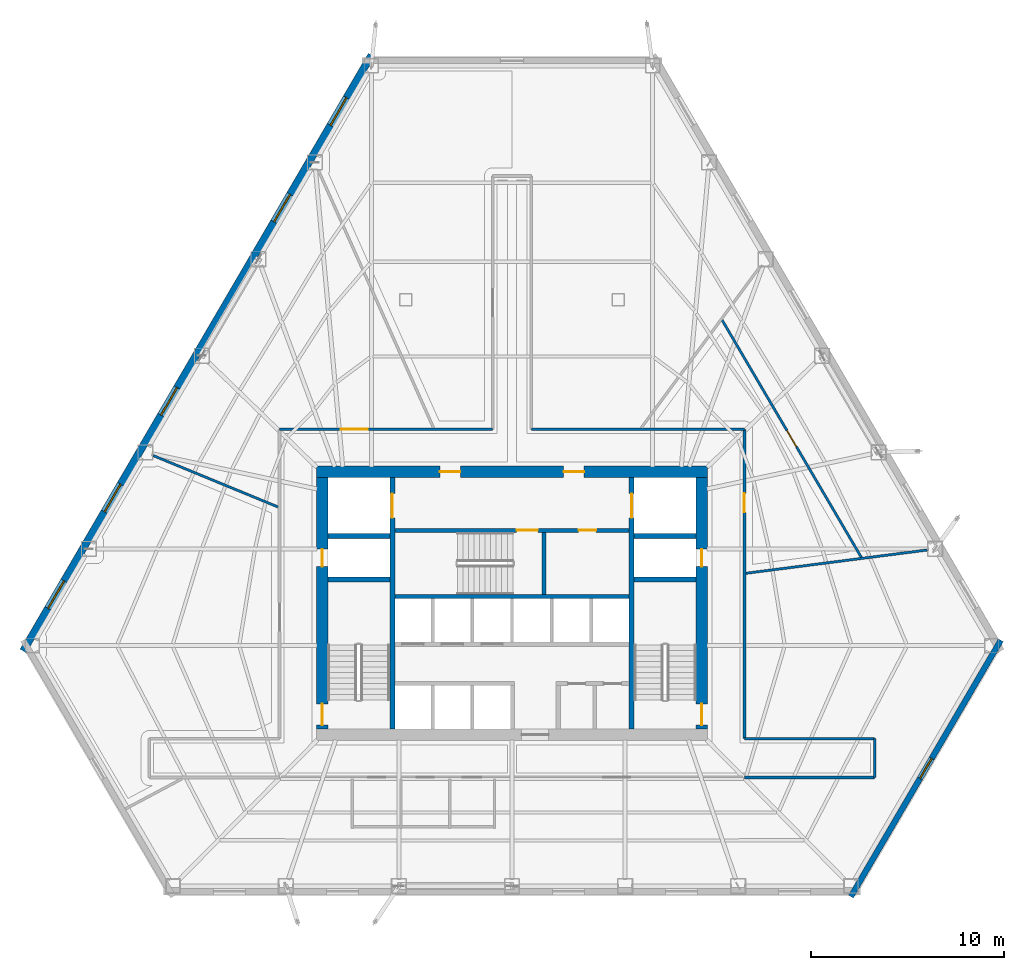
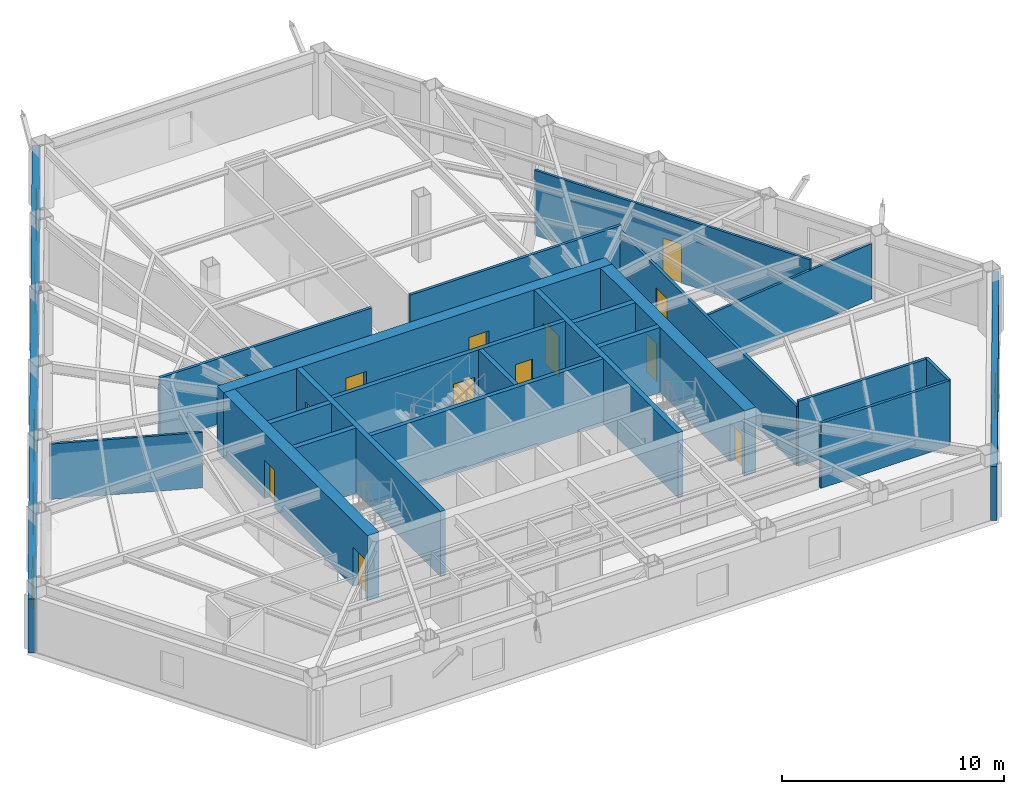
# One storey, part 8 of 13: 23 walls, 13 doors, 6 windows, 19 openings.
"""IFC4 building model written with IfcOpenShell, lengths in metres."""

from ifc_helpers import new_model, si_unit, direction, frame, frame_2d, origin, place, context, subcontext, project, spatial, rectangle, extrude, material, layer, layer_set, type_object, element, fill, save


model = new_model("IFC4")

# Units and contexts
model_context = context("Model", 3, precision=1e-05, world=origin(), true_north=direction((0.0, 1.0)))
body_context = subcontext(model_context, "Body", "Model", "MODEL_VIEW")
ifc_project = project(units=[si_unit("LENGTHUNIT", "METRE"), si_unit("AREAUNIT", "SQUARE_METRE"), si_unit("VOLUMEUNIT", "CUBIC_METRE"), si_unit("PLANEANGLEUNIT", "RADIAN"), si_unit("MASSUNIT", "GRAM", prefix="KILO")], contexts=[model_context])

# Site, building, storey
site_placement = place(None, origin())
site = spatial("IfcSite", under=ifc_project, at=site_placement, CompositionType="ELEMENT")
building_placement = place(site_placement, origin())
building = spatial("IfcBuilding", under=site, at=building_placement, Name="Kavelnor Concourse Tower", CompositionType="ELEMENT")
storey_placement = place(building_placement, frame((0.0, 0.0, 59.89990234375)))
storey = spatial("IfcBuildingStorey", under=building, at=storey_placement, Name="L15", CompositionType="ELEMENT", Elevation=59.89990234375)

# Wall, openings, doors
ifc_material_1 = material(Name="Concrete C60/75", Category="concrete")
ifc_layer_1 = layer(ifc_material_1, 0.60009765625, Name="Concrete C60/75")
ifc_layer_set_1 = layer_set([ifc_layer_1], Name="Concrete C60/75")
wall_type_1 = type_object("IfcWallType", Name="WL-CORE-Z1-600", PredefinedType="SOLIDWALL", material=ifc_layer_set_1)
wall_1_placement = place(storey_placement, frame((27.8798828125, 22.89990234375, 0.0), z_axis=(0.0, 0.0, 1.0), x_axis=(1.0, 0.0, 0.0)))
wall_1 = element("IfcWall", 1, at=wall_1_placement, inside=storey, type_object=wall_type_1, Name="L15 Central Core North Shear Wall", PredefinedType="SOLIDWALL", context=body_context, shape_type="SweptSolid", body=[
    extrude(rectangle(XDim=20.240234375, YDim=0.60009765625, at=frame_2d((10.1201171875, 0.0))), origin(), (0.0, 0.0, 1.0), 3.590087890625),
])
opening_1_placement = place(wall_1_placement, frame((6.39501953125, 0.0, 0.0)))
opening_1 = element("IfcOpeningElement", 2, at=opening_1_placement, cuts=wall_1, Name="Opening FD-105", PredefinedType="OPENING", context=body_context, shape_type="SweptSolid", body=[
    extrude(rectangle(XDim=1.050048828125, YDim=2.14990234375, at=frame_2d((0.52490234375, 1.074951171875))), frame((0.0, 0.31005859375, 0.0), z_axis=(0.0, -1.0, 0.0), x_axis=(1.0, 0.0, 0.0)), (0.0, 0.0, 1.0), 0.6201171875),
])
opening_2_placement = place(wall_1_placement, frame((12.794921875, 0.0, 0.0)))
opening_2 = element("IfcOpeningElement", 3, at=opening_2_placement, cuts=wall_1, Name="Opening FD-105", PredefinedType="OPENING", context=body_context, shape_type="SweptSolid", body=[
    extrude(rectangle(XDim=1.050048828125, YDim=2.14990234375, at=frame_2d((0.52490234375, 1.074951171875))), frame((0.0, 0.31005859375, 0.0), z_axis=(0.0, -1.0, 0.0), x_axis=(1.0, 0.0, 0.0)), (0.0, 0.0, 1.0), 0.6201171875),
])
ifc_material_2 = material(Name="Steel Grade 350", Category="steel")
door_type_1 = type_object("IfcDoorType", Name="DR-LOBBY-FIRE-1050", OperationType="NOTDEFINED", PredefinedType="DOOR", material=ifc_material_2)
door_1_placement = place(opening_1_placement, origin())
door_1 = element("IfcDoor", 4, at=door_1_placement, inside=storey, type_object=door_type_1, Name="L15 Emergency Lift Lobby West Door", OperationType="SINGLE_SWING_LEFT", OverallHeight=2.14990234375, OverallWidth=1.050048828125, PredefinedType="DOOR", context=body_context, shape_type="SweptSolid", body=[
    extrude(rectangle(XDim=1.050048828125, YDim=2.14990234375, at=frame_2d((0.52490234375, 1.074951171875))), frame((0.0, 0.02490234375, 0.0), z_axis=(0.0, -1.0, 0.0), x_axis=(1.0, 0.0, 0.0)), (0.0, 0.0, 1.0), 0.050048828125),
])
fill(opening_1, door_1)
door_2_placement = place(opening_2_placement, origin())
door_2 = element("IfcDoor", 5, at=door_2_placement, inside=storey, type_object=door_type_1, Name="L15 Emergency Lift Lobby East Door", OperationType="SINGLE_SWING_RIGHT", OverallHeight=2.14990234375, OverallWidth=1.050048828125, PredefinedType="DOOR", context=body_context, shape_type="SweptSolid", body=[
    extrude(rectangle(XDim=1.050048828125, YDim=2.14990234375, at=frame_2d((0.52490234375, 1.074951171875))), frame((0.0, 0.02490234375, 0.0), z_axis=(0.0, -1.0, 0.0), x_axis=(1.0, 0.0, 0.0)), (0.0, 0.0, 1.0), 0.050048828125),
])
fill(opening_2, door_2)

wall_2_placement = place(storey_placement, frame((28.179931640625, 9.60009765625, 0.0), z_axis=(0.0, 0.0, 1.0), x_axis=(0.0, 1.0, 0.0)))
wall_2 = element("IfcWall", 6, at=wall_2_placement, inside=storey, type_object=wall_type_1, Name="L15 Central Core West Shear Wall", PredefinedType="SOLIDWALL", context=body_context, shape_type="SweptSolid", body=[
    extrude(rectangle(XDim=13.0, YDim=0.60009765625, at=frame_2d((6.5, 0.0))), origin(), (0.0, 0.0, 1.0), 3.590087890625),
])
opening_3_placement = place(wall_2_placement, frame((0.199951171875, 0.0, 0.0)))
opening_3 = element("IfcOpeningElement", 7, at=opening_3_placement, cuts=wall_2, Name="Opening FD-110", PredefinedType="OPENING", context=body_context, shape_type="SweptSolid", body=[
    extrude(rectangle(XDim=1.10009765625, YDim=2.14990234375, at=frame_2d((0.550048828125, 1.074951171875))), frame((0.0, 0.31005859375, 0.0), z_axis=(0.0, -1.0, 0.0), x_axis=(1.0, 0.0, 0.0)), (0.0, 0.0, 1.0), 0.6201171875),
])
opening_4_placement = place(wall_2_placement, frame((8.39990234375, 0.0, 0.0)))
opening_4 = element("IfcOpeningElement", 8, at=opening_4_placement, cuts=wall_2, Name="Opening FD-090", PredefinedType="OPENING", context=body_context, shape_type="SweptSolid", body=[
    extrude(rectangle(XDim=0.89990234375, YDim=2.10009765625, at=frame_2d((0.449951171875, 1.050048828125))), frame((0.0, 0.31005859375, 0.0), z_axis=(0.0, -1.0, 0.0), x_axis=(1.0, 0.0, 0.0)), (0.0, 0.0, 1.0), 0.6201171875),
])
door_type_2 = type_object("IfcDoorType", Name="DR-RISER-FIRE-900", OperationType="NOTDEFINED", PredefinedType="DOOR", material=ifc_material_2)
door_3_placement = place(opening_4_placement, origin())
door_3 = element("IfcDoor", 9, at=door_3_placement, inside=storey, type_object=door_type_2, Name="L15 West Riser Access Door", OperationType="SINGLE_SWING_RIGHT", OverallHeight=2.10009765625, OverallWidth=0.89990234375, PredefinedType="DOOR", context=body_context, shape_type="SweptSolid", body=[
    extrude(rectangle(XDim=0.89990234375, YDim=2.10009765625, at=frame_2d((0.449951171875, 1.050048828125))), frame((0.0, 0.02490234375, 0.0), z_axis=(0.0, -1.0, 0.0), x_axis=(1.0, 0.0, 0.0)), (0.0, 0.0, 1.0), 0.050048828125),
])
fill(opening_4, door_3)
door_type_3 = type_object("IfcDoorType", Name="DR-STAIR-FIRE-1100", OperationType="NOTDEFINED", PredefinedType="DOOR", material=ifc_material_2)
door_4_placement = place(opening_3_placement, origin())
door_4 = element("IfcDoor", 10, at=door_4_placement, inside=storey, type_object=door_type_3, Name="L15 Stair ST1 Fire Door", OperationType="SINGLE_SWING_LEFT", OverallHeight=2.14990234375, OverallWidth=1.10009765625, PredefinedType="DOOR", context=body_context, shape_type="SweptSolid", body=[
    extrude(rectangle(XDim=1.10009765625, YDim=2.14990234375, at=frame_2d((0.550048828125, 1.074951171875))), frame((0.0, 0.02490234375, 0.0), z_axis=(0.0, -1.0, 0.0), x_axis=(1.0, 0.0, 0.0)), (0.0, 0.0, 1.0), 0.050048828125),
])
fill(opening_3, door_4)

wall_3_placement = place(storey_placement, frame((47.820068359375, 9.60009765625, 0.0), z_axis=(0.0, 0.0, 1.0), x_axis=(0.0, 1.0, 0.0)))
wall_3 = element("IfcWall", 11, at=wall_3_placement, inside=storey, type_object=wall_type_1, Name="L15 Central Core East Shear Wall", PredefinedType="SOLIDWALL", context=body_context, shape_type="SweptSolid", body=[
    extrude(rectangle(XDim=13.0, YDim=0.60009765625, at=frame_2d((6.5, 0.0))), origin(), (0.0, 0.0, 1.0), 3.590087890625),
])
opening_5_placement = place(wall_3_placement, frame((0.199951171875, 0.0, 0.0)))
opening_5 = element("IfcOpeningElement", 12, at=opening_5_placement, cuts=wall_3, Name="Opening FD-110", PredefinedType="OPENING", context=body_context, shape_type="SweptSolid", body=[
    extrude(rectangle(XDim=1.10009765625, YDim=2.14990234375, at=frame_2d((0.550048828125, 1.074951171875))), frame((0.0, 0.31005859375, 0.0), z_axis=(0.0, -1.0, 0.0), x_axis=(1.0, 0.0, 0.0)), (0.0, 0.0, 1.0), 0.6201171875),
])
opening_6_placement = place(wall_3_placement, frame((8.39990234375, 0.0, 0.0)))
opening_6 = element("IfcOpeningElement", 13, at=opening_6_placement, cuts=wall_3, Name="Opening FD-090", PredefinedType="OPENING", context=body_context, shape_type="SweptSolid", body=[
    extrude(rectangle(XDim=0.89990234375, YDim=2.10009765625, at=frame_2d((0.449951171875, 1.050048828125))), frame((0.0, 0.31005859375, 0.0), z_axis=(0.0, -1.0, 0.0), x_axis=(1.0, 0.0, 0.0)), (0.0, 0.0, 1.0), 0.6201171875),
])
door_5_placement = place(opening_6_placement, origin())
door_5 = element("IfcDoor", 14, at=door_5_placement, inside=storey, type_object=door_type_2, Name="L15 East Riser Access Door", OperationType="SINGLE_SWING_LEFT", OverallHeight=2.10009765625, OverallWidth=0.89990234375, PredefinedType="DOOR", context=body_context, shape_type="SweptSolid", body=[
    extrude(rectangle(XDim=0.89990234375, YDim=2.10009765625, at=frame_2d((0.449951171875, 1.050048828125))), frame((0.0, 0.02490234375, 0.0), z_axis=(0.0, -1.0, 0.0), x_axis=(1.0, 0.0, 0.0)), (0.0, 0.0, 1.0), 0.050048828125),
])
fill(opening_6, door_5)
door_6_placement = place(opening_5_placement, origin())
door_6 = element("IfcDoor", 15, at=door_6_placement, inside=storey, type_object=door_type_3, Name="L15 Stair ST2 Fire Door", OperationType="SINGLE_SWING_RIGHT", OverallHeight=2.14990234375, OverallWidth=1.10009765625, PredefinedType="DOOR", context=body_context, shape_type="SweptSolid", body=[
    extrude(rectangle(XDim=1.10009765625, YDim=2.14990234375, at=frame_2d((0.550048828125, 1.074951171875))), frame((0.0, 0.02490234375, 0.0), z_axis=(0.0, -1.0, 0.0), x_axis=(1.0, 0.0, 0.0)), (0.0, 0.0, 1.0), 0.050048828125),
])
fill(opening_5, door_6)

# Wall, opening, window
ifc_material_3 = material(Name="Buff ironspot clay face brick masonry", Category="masonry")
ifc_layer_2 = layer(ifc_material_3, 0.300048828125, Name="Buff ironspot clay face brick masonry")
ifc_layer_set_2 = layer_set([ifc_layer_2], Name="Buff ironspot clay face brick masonry")
wall_type_2 = type_object("IfcWallType", Name="WL-EXT-BUFF-BRICK-FOLD-300", PredefinedType="STANDARD", material=ifc_layer_set_2)
wall_4_placement = place(storey_placement, frame((63.275634765625, 14.193115234375, 0.0), z_axis=(0.0, 0.0, 1.0), x_axis=(-0.504699139316, -0.863295302184, 0.0)))
wall_4 = element("IfcWall", 16, at=wall_4_placement, inside=storey, type_object=wall_type_2, Name="L15 Exterior Brick Facade Wall E4", PredefinedType="STANDARD", context=body_context, shape_type="SweptSolid", body=[
    extrude(rectangle(XDim=15.356689453125, YDim=0.300048828125, at=frame_2d((7.67822265625, 0.0))), origin(), (0.0, 0.0, 1.0), 2.97021484375),
])
opening_7_placement = place(wall_4_placement, frame((7.078369140625, 0.0, 0.64990234375)))
opening_7 = element("IfcOpeningElement", 17, at=opening_7_placement, cuts=wall_4, Name="Opening W-05", PredefinedType="OPENING", context=body_context, shape_type="SweptSolid", body=[
    extrude(rectangle(XDim=1.199951171875, YDim=1.699951171875, at=frame_2d((0.60009765625, 0.85009765625))), frame((0.0, 0.16015625, 0.0), z_axis=(0.0, -1.0, 0.0), x_axis=(1.0, 0.0, 0.0)), (0.0, 0.0, 1.0), 0.320068359375),
])
ifc_material_4 = material(Name="Double low-E argon insulated glazing", Category="glass")
window_type_1 = type_object("IfcWindowType", Name="WIN-FOLD-1200", PartitioningType="SINGLE_PANEL", PredefinedType="WINDOW", material=ifc_material_4)
window_1_placement = place(opening_7_placement, origin())
window_1 = element("IfcWindow", 18, at=window_1_placement, inside=storey, type_object=window_type_1, Name="L15 Chamfer-Fold Facet Window C2", OverallHeight=1.699951171875, OverallWidth=1.199951171875, PartitioningType="SINGLE_PANEL", PredefinedType="WINDOW", context=body_context, shape_type="SweptSolid", body=[
    extrude(rectangle(XDim=1.199951171875, YDim=1.699951171875, at=frame_2d((0.60009765625, 0.85009765625))), frame((0.0, 0.030029296875, 0.0), z_axis=(0.0, -1.0, 0.0), x_axis=(1.0, 0.0, 0.0)), (0.0, 0.0, 1.0), 0.06005859375),
])
fill(opening_7, window_1)

# Wall, openings, windows
ifc_material_5 = material(Name="Red-ochre clay face brick masonry", Category="masonry")
ifc_layer_3 = layer(ifc_material_5, 0.3798828125, Name="Red-ochre clay face brick masonry")
ifc_layer_set_3 = layer_set([ifc_layer_3], Name="Red-ochre clay face brick masonry")
wall_type_3 = type_object("IfcWallType", Name="WL-EXT-RED-BRICK-PIER-380", PredefinedType="STANDARD", material=ifc_layer_set_3)
wall_5_placement = place(storey_placement, frame((12.724365234375, 13.635986328125, 0.0), z_axis=(0.0, 0.0, 1.0), x_axis=(0.504702471056, 0.863293354376, 0.0)))
wall_5 = element("IfcWall", 19, at=wall_5_placement, inside=storey, type_object=wall_type_3, Name="L15 Exterior Brick Facade Wall E1", PredefinedType="STANDARD", context=body_context, shape_type="SweptSolid", body=[
    extrude(rectangle(XDim=35.682373046875, YDim=0.3798828125, at=frame_2d((17.84130859375, 0.0))), origin(), (0.0, 0.0, 1.0), 2.97021484375),
])
opening_8_placement = place(wall_5_placement, frame((31.48828125, 0.0, 0.64990234375)))
opening_8 = element("IfcOpeningElement", 20, at=opening_8_placement, cuts=wall_5, Name="Opening W-01", PredefinedType="OPENING", context=body_context, shape_type="SweptSolid", body=[
    extrude(rectangle(XDim=1.64990234375, YDim=1.75, at=frame_2d((0.824951171875, 0.875))), frame((0.0, 0.199951171875, 0.0), z_axis=(0.0, -1.0, 0.0), x_axis=(1.0, 0.0, 0.0)), (0.0, 0.0, 1.0), 0.39990234375),
])
opening_9_placement = place(wall_5_placement, frame((25.70068359375, 0.0, 0.64990234375)))
opening_9 = element("IfcOpeningElement", 21, at=opening_9_placement, cuts=wall_5, Name="Opening W-01", PredefinedType="OPENING", context=body_context, shape_type="SweptSolid", body=[
    extrude(rectangle(XDim=1.64990234375, YDim=1.75, at=frame_2d((0.824951171875, 0.875))), frame((0.0, 0.199951171875, 0.0), z_axis=(0.0, -1.0, 0.0), x_axis=(1.0, 0.0, 0.0)), (0.0, 0.0, 1.0), 0.39990234375),
])
opening_10_placement = place(wall_5_placement, frame((14.125, 0.0, 0.64990234375)))
opening_10 = element("IfcOpeningElement", 22, at=opening_10_placement, cuts=wall_5, Name="Opening W-01", PredefinedType="OPENING", context=body_context, shape_type="SweptSolid", body=[
    extrude(rectangle(XDim=1.64990234375, YDim=1.75, at=frame_2d((0.824951171875, 0.875))), frame((0.0, 0.199951171875, 0.0), z_axis=(0.0, -1.0, 0.0), x_axis=(1.0, 0.0, 0.0)), (0.0, 0.0, 1.0), 0.39990234375),
])
opening_11_placement = place(wall_5_placement, frame((8.337158203125, 0.0, 0.64990234375)))
opening_11 = element("IfcOpeningElement", 23, at=opening_11_placement, cuts=wall_5, Name="Opening W-01", PredefinedType="OPENING", context=body_context, shape_type="SweptSolid", body=[
    extrude(rectangle(XDim=1.64990234375, YDim=1.75, at=frame_2d((0.824951171875, 0.875))), frame((0.0, 0.199951171875, 0.0), z_axis=(0.0, -1.0, 0.0), x_axis=(1.0, 0.0, 0.0)), (0.0, 0.0, 1.0), 0.39990234375),
])
opening_12_placement = place(wall_5_placement, frame((2.54931640625, 0.0, 0.64990234375)))
opening_12 = element("IfcOpeningElement", 24, at=opening_12_placement, cuts=wall_5, Name="Opening W-01", PredefinedType="OPENING", context=body_context, shape_type="SweptSolid", body=[
    extrude(rectangle(XDim=1.64990234375, YDim=1.75, at=frame_2d((0.824951171875, 0.875))), frame((0.0, 0.199951171875, 0.0), z_axis=(0.0, -1.0, 0.0), x_axis=(1.0, 0.0, 0.0)), (0.0, 0.0, 1.0), 0.39990234375),
])
window_type_2 = type_object("IfcWindowType", Name="WIN-PIER-Z1-1800", PartitioningType="SINGLE_PANEL", PredefinedType="WINDOW", material=ifc_material_4)
window_2_placement = place(opening_8_placement, origin())
window_2 = element("IfcWindow", 25, at=window_2_placement, inside=storey, type_object=window_type_2, Name="L15 Deep-Set Brick Pier Window F0-B0", OverallHeight=1.75, OverallWidth=1.64990234375, PartitioningType="SINGLE_PANEL", PredefinedType="WINDOW", context=body_context, shape_type="SweptSolid", body=[
    extrude(rectangle(XDim=1.64990234375, YDim=1.75, at=frame_2d((0.824951171875, 0.875))), frame((0.0, 0.030029296875, 0.0), z_axis=(0.0, -1.0, 0.0), x_axis=(1.0, 0.0, 0.0)), (0.0, 0.0, 1.0), 0.06005859375),
])
fill(opening_8, window_2)
window_3_placement = place(opening_9_placement, origin())
window_3 = element("IfcWindow", 26, at=window_3_placement, inside=storey, type_object=window_type_2, Name="L15 Deep-Set Brick Pier Window F0-B1", OverallHeight=1.75, OverallWidth=1.64990234375, PartitioningType="SINGLE_PANEL", PredefinedType="WINDOW", context=body_context, shape_type="SweptSolid", body=[
    extrude(rectangle(XDim=1.64990234375, YDim=1.75, at=frame_2d((0.824951171875, 0.875))), frame((0.0, 0.030029296875, 0.0), z_axis=(0.0, -1.0, 0.0), x_axis=(1.0, 0.0, 0.0)), (0.0, 0.0, 1.0), 0.06005859375),
])
fill(opening_9, window_3)
window_4_placement = place(opening_10_placement, origin())
window_4 = element("IfcWindow", 27, at=window_4_placement, inside=storey, type_object=window_type_2, Name="L15 Deep-Set Brick Pier Window F0-B3", OverallHeight=1.75, OverallWidth=1.64990234375, PartitioningType="SINGLE_PANEL", PredefinedType="WINDOW", context=body_context, shape_type="SweptSolid", body=[
    extrude(rectangle(XDim=1.64990234375, YDim=1.75, at=frame_2d((0.824951171875, 0.875))), frame((0.0, 0.030029296875, 0.0), z_axis=(0.0, -1.0, 0.0), x_axis=(1.0, 0.0, 0.0)), (0.0, 0.0, 1.0), 0.06005859375),
])
fill(opening_10, window_4)
window_5_placement = place(opening_11_placement, origin())
window_5 = element("IfcWindow", 28, at=window_5_placement, inside=storey, type_object=window_type_2, Name="L15 Deep-Set Brick Pier Window F0-B4", OverallHeight=1.75, OverallWidth=1.64990234375, PartitioningType="SINGLE_PANEL", PredefinedType="WINDOW", context=body_context, shape_type="SweptSolid", body=[
    extrude(rectangle(XDim=1.64990234375, YDim=1.75, at=frame_2d((0.824951171875, 0.875))), frame((0.0, 0.030029296875, 0.0), z_axis=(0.0, -1.0, 0.0), x_axis=(1.0, 0.0, 0.0)), (0.0, 0.0, 1.0), 0.06005859375),
])
fill(opening_11, window_5)
window_6_placement = place(opening_12_placement, origin())
window_6 = element("IfcWindow", 29, at=window_6_placement, inside=storey, type_object=window_type_2, Name="L15 Deep-Set Brick Pier Window F0-B5", OverallHeight=1.75, OverallWidth=1.64990234375, PartitioningType="SINGLE_PANEL", PredefinedType="WINDOW", context=body_context, shape_type="SweptSolid", body=[
    extrude(rectangle(XDim=1.64990234375, YDim=1.75, at=frame_2d((0.824951171875, 0.875))), frame((0.0, 0.030029296875, 0.0), z_axis=(0.0, -1.0, 0.0), x_axis=(1.0, 0.0, 0.0)), (0.0, 0.0, 1.0), 0.06005859375),
])
fill(opening_12, window_6)

# Wall, opening, door
ifc_material_6 = material(Name="Gypsum plasterboard on light-gauge steel studs", Category="steel")
ifc_layer_4 = layer(ifc_material_6, 0.14501953125, Name="Gypsum plasterboard on light-gauge steel studs")
ifc_layer_set_4 = layer_set([ifc_layer_4], Name="Gypsum plasterboard on light-gauge steel studs")
wall_type_4 = type_object("IfcWallType", Name="WL-INT-CORR-145", PredefinedType="PARTITIONING", material=ifc_layer_set_4)
wall_6_placement = place(storey_placement, frame((25.97998046875, 25.10009765625, 0.0), z_axis=(0.0, 0.0, 1.0), x_axis=(1.0, 0.0, 0.0)))
wall_6 = element("IfcWall", 30, at=wall_6_placement, inside=storey, type_object=wall_type_4, Name="L15 Corridor Wall WL-L15-CR-03", PredefinedType="PARTITIONING", context=body_context, shape_type="SweptSolid", body=[
    extrude(rectangle(XDim=11.02001953125, YDim=0.14501953125, at=frame_2d((5.510009765625, 0.0))), origin(), (0.0, 0.0, 1.0), 3.590087890625),
])
opening_13_placement = place(wall_6_placement, frame((3.164794921875, 0.0, 0.0)))
opening_13 = element("IfcOpeningElement", 31, at=opening_13_placement, cuts=wall_6, Name="Opening SD-140", PredefinedType="OPENING", context=body_context, shape_type="SweptSolid", body=[
    extrude(rectangle(XDim=1.39990234375, YDim=2.199951171875, at=frame_2d((0.699951171875, 1.10009765625))), frame((0.0, 0.08251953125, 0.0), z_axis=(0.0, -1.0, 0.0), x_axis=(1.0, 0.0, 0.0)), (0.0, 0.0, 1.0), 0.1650390625),
])
ifc_material_7 = material(Name="Solid-core hardwood timber", Category="wood")
door_type_4 = type_object("IfcDoorType", Name="DR-SUITE-ENTRY-1400", OperationType="NOTDEFINED", PredefinedType="DOOR", material=ifc_material_7)
door_7_placement = place(opening_13_placement, origin())
door_7 = element("IfcDoor", 32, at=door_7_placement, inside=storey, type_object=door_type_4, Name="L15 Architectural Design Studio 04 Door", OperationType="SINGLE_SWING_RIGHT", OverallHeight=2.199951171875, OverallWidth=1.39990234375, PredefinedType="DOOR", context=body_context, shape_type="SweptSolid", body=[
    extrude(rectangle(XDim=1.39990234375, YDim=2.199951171875, at=frame_2d((0.699951171875, 1.10009765625))), frame((0.0, 0.02490234375, 0.0), z_axis=(0.0, -1.0, 0.0), x_axis=(1.0, 0.0, 0.0)), (0.0, 0.0, 1.0), 0.050048828125),
])
fill(opening_13, door_7)

# Wall
wall_7_placement = place(storey_placement, frame((39.0, 25.10009765625, 0.0), z_axis=(0.0, 0.0, 1.0), x_axis=(1.0, 0.0, 0.0)))
element("IfcWall", 33, at=wall_7_placement, inside=storey, type_object=wall_type_4, Name="L15 Corridor Wall WL-L15-CR-07", PredefinedType="PARTITIONING", context=body_context, shape_type="SweptSolid", body=[
    extrude(rectangle(XDim=11.02001953125, YDim=0.14501953125, at=frame_2d((5.510009765625, 0.0))), origin(), (0.0, 0.0, 1.0), 3.590087890625),
])

# Wall, opening, door
wall_8_placement = place(storey_placement, frame((50.02001953125, 25.10009765625, 0.0), z_axis=(0.0, 0.0, 1.0), x_axis=(0.0, -1.0, 0.0)))
wall_8 = element("IfcWall", 34, at=wall_8_placement, inside=storey, type_object=wall_type_4, Name="L15 Corridor Wall WL-L15-CR-08", PredefinedType="PARTITIONING", context=body_context, shape_type="SweptSolid", body=[
    extrude(rectangle(XDim=16.0, YDim=0.14501953125, at=frame_2d((8.0, 0.0))), origin(), (0.0, 0.0, 1.0), 3.278076171875),
])
opening_14_placement = place(wall_8_placement, frame((3.31787109375, 0.0, 0.0)))
opening_14 = element("IfcOpeningElement", 35, at=opening_14_placement, cuts=wall_8, Name="Opening OD-098", PredefinedType="OPENING", context=body_context, shape_type="SweptSolid", body=[
    extrude(rectangle(XDim=0.97998046875, YDim=2.14990234375, at=frame_2d((0.489990234375, 1.074951171875))), frame((0.0, 0.08251953125, 0.0), z_axis=(0.0, -1.0, 0.0), x_axis=(1.0, 0.0, 0.0)), (0.0, 0.0, 1.0), 0.1650390625),
])
door_type_5 = type_object("IfcDoorType", Name="DR-OFFICE-980", OperationType="NOTDEFINED", PredefinedType="DOOR", material=ifc_material_7)
door_8_placement = place(opening_14_placement, origin())
door_8 = element("IfcDoor", 36, at=door_8_placement, inside=storey, type_object=door_type_5, Name="L15 Architectural Design Studio 01 Door", OperationType="SINGLE_SWING_LEFT", OverallHeight=2.14990234375, OverallWidth=0.97998046875, PredefinedType="DOOR", context=body_context, shape_type="SweptSolid", body=[
    extrude(rectangle(XDim=0.97998046875, YDim=2.14990234375, at=frame_2d((0.489990234375, 1.074951171875))), frame((0.0, 0.02490234375, 0.0), z_axis=(0.0, -1.0, 0.0), x_axis=(1.0, 0.0, 0.0)), (0.0, 0.0, 1.0), 0.050048828125),
])
fill(opening_14, door_8)

# Walls
wall_9_placement = place(storey_placement, frame((50.02001953125, 9.10009765625, 0.0), z_axis=(0.0, 0.0, 1.0), x_axis=(1.0, 0.0, 0.0)))
element("IfcWall", 37, at=wall_9_placement, inside=storey, type_object=wall_type_4, Name="L15 Corridor Wall WL-L15-CR-09", PredefinedType="PARTITIONING", context=body_context, shape_type="SweptSolid", body=[
    extrude(rectangle(XDim=6.733642578125, YDim=0.14501953125, at=frame_2d((3.36669921875, 0.0))), origin(), (0.0, 0.0, 1.0), 3.590087890625),
])
wall_10_placement = place(storey_placement, frame((56.753662109375, 9.10009765625, 0.0), z_axis=(0.0, 0.0, 1.0), x_axis=(0.0, -1.0, 0.0)))
element("IfcWall", 38, at=wall_10_placement, inside=storey, type_object=wall_type_4, Name="L15 Corridor Wall WL-L15-CR-10", PredefinedType="PARTITIONING", context=body_context, shape_type="SweptSolid", body=[
    extrude(rectangle(XDim=2.0, YDim=0.14501953125, at=frame_2d((1.0, 0.0))), origin(), (0.0, 0.0, 1.0), 3.590087890625),
])
wall_11_placement = place(storey_placement, frame((56.753662109375, 7.10009765625, 0.0), z_axis=(0.0, 0.0, 1.0), x_axis=(-1.0, 0.0, 0.0)))
element("IfcWall", 39, at=wall_11_placement, inside=storey, type_object=wall_type_4, Name="L15 Corridor Wall WL-L15-CR-11", PredefinedType="PARTITIONING", context=body_context, shape_type="SweptSolid", body=[
    extrude(rectangle(XDim=6.733642578125, YDim=0.14501953125, at=frame_2d((3.36669921875, 0.0))), origin(), (0.0, 0.0, 1.0), 3.590087890625),
])
ifc_layer_5 = layer(ifc_material_6, 0.125, Name="Gypsum plasterboard on light-gauge steel studs")
ifc_layer_set_5 = layer_set([ifc_layer_5], Name="Gypsum plasterboard on light-gauge steel studs")
wall_type_5 = type_object("IfcWallType", Name="WL-INT-SUITE-125", PredefinedType="PARTITIONING", material=ifc_layer_set_5)
wall_12_placement = place(storey_placement, frame((50.1005859375, 17.65478515625, 0.0), z_axis=(0.0, 0.0, 1.0), x_axis=(0.991847864417, 0.127427680869, 0.0)))
element("IfcWall", 40, at=wall_12_placement, inside=storey, type_object=wall_type_5, Name="L15 Radial Suite Partition 01", PredefinedType="PARTITIONING", context=body_context, shape_type="SweptSolid", body=[
    extrude(rectangle(XDim=9.447265625, YDim=0.125, at=frame_2d((4.7236328125, 0.0))), origin(), (0.0, 0.0, 1.0), 3.05712890625),
])
wall_13_placement = place(storey_placement, frame((25.8994140625, 21.08349609375, 0.0), z_axis=(0.0, 0.0, 1.0), x_axis=(-0.924655624126, 0.380804381241, 0.0)))
element("IfcWall", 41, at=wall_13_placement, inside=storey, type_object=wall_type_5, Name="L15 Radial Suite Partition 04", PredefinedType="PARTITIONING", context=body_context, shape_type="SweptSolid", body=[
    extrude(rectangle(XDim=6.974609375, YDim=0.125, at=frame_2d((3.4873046875, 0.0))), origin(), (0.0, 0.0, 1.0), 3.05712890625),
])

# Wall, opening, door
wall_14_placement = place(storey_placement, frame((56.086181640625, 18.438720703125, 0.0), z_axis=(0.0, 0.0, 1.0), x_axis=(-0.506083112793, 0.862484714616, 0.0)))
wall_14 = element("IfcWall", 42, at=wall_14_placement, inside=storey, type_object=wall_type_5, Name="L15 Suite Subdivision Partition 01", PredefinedType="PARTITIONING", context=body_context, shape_type="SweptSolid", body=[
    extrude(rectangle(XDim=14.317626953125, YDim=0.125, at=frame_2d((7.15869140625, 0.0))), origin(), (0.0, 0.0, 1.0), 3.590087890625),
])
opening_15_placement = place(wall_14_placement, frame((6.668701171875, 0.0, 0.0)))
opening_15 = element("IfcOpeningElement", 43, at=opening_15_placement, cuts=wall_14, Name="Opening OD-098", PredefinedType="OPENING", context=body_context, shape_type="SweptSolid", body=[
    extrude(rectangle(XDim=0.97998046875, YDim=2.14990234375, at=frame_2d((0.489990234375, 1.074951171875))), frame((0.0, 0.072509765625, 0.0), z_axis=(0.0, -1.0, 0.0), x_axis=(1.0, 0.0, 0.0)), (0.0, 0.0, 1.0), 0.14501953125),
])
door_9_placement = place(opening_15_placement, origin())
door_9 = element("IfcDoor", 44, at=door_9_placement, inside=storey, type_object=door_type_5, Name="L15 Staff Breakout Pantry 02 Door", OperationType="SINGLE_SWING_RIGHT", OverallHeight=2.14990234375, OverallWidth=0.97998046875, PredefinedType="DOOR", context=body_context, shape_type="SweptSolid", body=[
    extrude(rectangle(XDim=0.97998046875, YDim=2.14990234375, at=frame_2d((0.489990234375, 1.074951171875))), frame((0.0, 0.02490234375, 0.0), z_axis=(0.0, -1.0, 0.0), x_axis=(1.0, 0.0, 0.0)), (0.0, 0.0, 1.0), 0.050048828125),
])
fill(opening_15, door_9)

# Wall, openings, doors
ifc_material_8 = material(Name="Concrete C50/60", Category="concrete")
ifc_layer_6 = layer(ifc_material_8, 0.219970703125, Name="Concrete C50/60")
ifc_layer_set_6 = layer_set([ifc_layer_6], Name="Concrete C50/60")
wall_type_6 = type_object("IfcWallType", Name="WL-SHAFT-220", PredefinedType="SOLIDWALL", material=ifc_layer_set_6)
wall_15_placement = place(storey_placement, frame((31.93994140625, 19.8701171875, 0.0), z_axis=(0.0, 0.0, 1.0), x_axis=(1.0, 0.0, 0.0)))
wall_15 = element("IfcWall", 45, at=wall_15_placement, inside=storey, type_object=wall_type_6, Name="L15 Emergency Lift Lobby South Wall", PredefinedType="SOLIDWALL", context=body_context, shape_type="SweptSolid", body=[
    extrude(rectangle(XDim=12.1201171875, YDim=0.219970703125, at=frame_2d((6.06005859375, 0.0))), origin(), (0.0, 0.0, 1.0), 3.590087890625),
])
opening_16_placement = place(wall_15_placement, frame((6.300048828125, 0.0, 0.0)))
opening_16 = element("IfcOpeningElement", 46, at=opening_16_placement, cuts=wall_15, Name="Opening FD-110", PredefinedType="OPENING", context=body_context, shape_type="SweptSolid", body=[
    extrude(rectangle(XDim=1.10009765625, YDim=2.14990234375, at=frame_2d((0.550048828125, 1.074951171875))), frame((0.0, 0.1201171875, 0.0), z_axis=(0.0, -1.0, 0.0), x_axis=(1.0, 0.0, 0.0)), (0.0, 0.0, 1.0), 0.239990234375),
])
opening_17_placement = place(wall_15_placement, frame((9.510009765625, 0.0, 0.0)))
opening_17 = element("IfcOpeningElement", 47, at=opening_17_placement, cuts=wall_15, Name="Opening FD-090", PredefinedType="OPENING", context=body_context, shape_type="SweptSolid", body=[
    extrude(rectangle(XDim=0.89990234375, YDim=2.10009765625, at=frame_2d((0.449951171875, 1.050048828125))), frame((0.0, 0.1201171875, 0.0), z_axis=(0.0, -1.0, 0.0), x_axis=(1.0, 0.0, 0.0)), (0.0, 0.0, 1.0), 0.239990234375),
])
door_10_placement = place(opening_17_placement, origin())
door_10 = element("IfcDoor", 48, at=door_10_placement, inside=storey, type_object=door_type_2, Name="L15 Electrical Comms Door", OperationType="SINGLE_SWING_LEFT", OverallHeight=2.10009765625, OverallWidth=0.89990234375, PredefinedType="DOOR", context=body_context, shape_type="SweptSolid", body=[
    extrude(rectangle(XDim=0.89990234375, YDim=2.10009765625, at=frame_2d((0.449951171875, 1.050048828125))), frame((0.0, 0.02490234375, 0.0), z_axis=(0.0, -1.0, 0.0), x_axis=(1.0, 0.0, 0.0)), (0.0, 0.0, 1.0), 0.050048828125),
])
fill(opening_17, door_10)
door_11_placement = place(opening_16_placement, origin())
door_11 = element("IfcDoor", 49, at=door_11_placement, inside=storey, type_object=door_type_3, Name="L15 Stair ST3 Fire Door", OperationType="SINGLE_SWING_LEFT", OverallHeight=2.14990234375, OverallWidth=1.10009765625, PredefinedType="DOOR", context=body_context, shape_type="SweptSolid", body=[
    extrude(rectangle(XDim=1.10009765625, YDim=2.14990234375, at=frame_2d((0.550048828125, 1.074951171875))), frame((0.0, 0.02490234375, 0.0), z_axis=(0.0, -1.0, 0.0), x_axis=(1.0, 0.0, 0.0)), (0.0, 0.0, 1.0), 0.050048828125),
])
fill(opening_16, door_11)

# Walls
wall_16_placement = place(storey_placement, frame((31.93994140625, 16.449951171875, 0.0), z_axis=(0.0, 0.0, 1.0), x_axis=(1.0, 0.0, 0.0)))
element("IfcWall", 50, at=wall_16_placement, inside=storey, type_object=wall_type_6, Name="L15 Stair ST3 South Core Wall", PredefinedType="SOLIDWALL", context=body_context, shape_type="SweptSolid", body=[
    extrude(rectangle(XDim=12.1201171875, YDim=0.219970703125, at=frame_2d((6.06005859375, 0.0))), origin(), (0.0, 0.0, 1.0), 3.590087890625),
])
wall_17_placement = place(storey_placement, frame((39.64990234375, 16.56005859375, 0.0), z_axis=(0.0, 0.0, 1.0), x_axis=(0.0, 1.0, 0.0)))
element("IfcWall", 51, at=wall_17_placement, inside=storey, type_object=wall_type_6, Name="L15 Stair ST3 East Core Wall", PredefinedType="SOLIDWALL", context=body_context, shape_type="SweptSolid", body=[
    extrude(rectangle(XDim=3.199951171875, YDim=0.219970703125, at=frame_2d((1.60009765625, 0.0))), origin(), (0.0, 0.0, 1.0), 3.590087890625),
])

# Wall, opening, door
ifc_layer_7 = layer(ifc_material_8, 0.260009765625, Name="Concrete C50/60")
ifc_layer_set_7 = layer_set([ifc_layer_7], Name="Concrete C50/60")
wall_type_7 = type_object("IfcWallType", Name="WL-SHAFT-260", PredefinedType="SHEAR", material=ifc_layer_set_7)
wall_18_placement = place(storey_placement, frame((31.81005859375, 9.60009765625, 0.0), z_axis=(0.0, 0.0, 1.0), x_axis=(0.0, 1.0, 0.0)))
wall_18 = element("IfcWall", 52, at=wall_18_placement, inside=storey, type_object=wall_type_7, Name="L15 Core West Wing Shear Wall", PredefinedType="SHEAR", context=body_context, shape_type="SweptSolid", body=[
    extrude(rectangle(XDim=13.0, YDim=0.260009765625, at=frame_2d((6.5, 0.0))), origin(), (0.0, 0.0, 1.0), 3.590087890625),
])
opening_18_placement = place(wall_18_placement, frame((10.925048828125, 0.0, 0.0)))
opening_18 = element("IfcOpeningElement", 53, at=opening_18_placement, cuts=wall_18, Name="Opening LD-125", PredefinedType="OPENING", context=body_context, shape_type="SweptSolid", body=[
    extrude(rectangle(XDim=1.25, YDim=2.25, at=frame_2d((0.625, 1.125))), frame((0.0, 0.14013671875, 0.0), z_axis=(0.0, -1.0, 0.0), x_axis=(1.0, 0.0, 0.0)), (0.0, 0.0, 1.0), 0.280029296875),
])
door_type_6 = type_object("IfcDoorType", Name="DR-LIFT-SLIDING-1250", OperationType="NOTDEFINED", PredefinedType="DOOR", material=ifc_material_2)
door_12_placement = place(opening_18_placement, origin())
door_12 = element("IfcDoor", 54, at=door_12_placement, inside=storey, type_object=door_type_6, Name="L15 Emergency Lift FL1 Landing Door", OperationType="DOUBLE_DOOR_SLIDING", OverallHeight=2.25, OverallWidth=1.25, PredefinedType="DOOR", context=body_context, shape_type="SweptSolid", body=[
    extrude(rectangle(XDim=1.25, YDim=2.25, at=frame_2d((0.625, 1.125))), frame((0.0, 0.02490234375, 0.0), z_axis=(0.0, -1.0, 0.0), x_axis=(1.0, 0.0, 0.0)), (0.0, 0.0, 1.0), 0.050048828125),
])
fill(opening_18, door_12)

wall_19_placement = place(storey_placement, frame((44.18994140625, 9.60009765625, 0.0), z_axis=(0.0, 0.0, 1.0), x_axis=(0.0, 1.0, 0.0)))
wall_19 = element("IfcWall", 55, at=wall_19_placement, inside=storey, type_object=wall_type_7, Name="L15 Core East Wing Shear Wall", PredefinedType="SHEAR", context=body_context, shape_type="SweptSolid", body=[
    extrude(rectangle(XDim=13.0, YDim=0.260009765625, at=frame_2d((6.5, 0.0))), origin(), (0.0, 0.0, 1.0), 3.590087890625),
])
opening_19_placement = place(wall_19_placement, frame((10.925048828125, 0.0, 0.0)))
opening_19 = element("IfcOpeningElement", 56, at=opening_19_placement, cuts=wall_19, Name="Opening LD-125", PredefinedType="OPENING", context=body_context, shape_type="SweptSolid", body=[
    extrude(rectangle(XDim=1.25, YDim=2.25, at=frame_2d((0.625, 1.125))), frame((0.0, 0.14013671875, 0.0), z_axis=(0.0, -1.0, 0.0), x_axis=(1.0, 0.0, 0.0)), (0.0, 0.0, 1.0), 0.280029296875),
])
door_13_placement = place(opening_19_placement, origin())
door_13 = element("IfcDoor", 57, at=door_13_placement, inside=storey, type_object=door_type_6, Name="L15 Emergency Lift FL2 Landing Door", OperationType="DOUBLE_DOOR_SLIDING", OverallHeight=2.25, OverallWidth=1.25, PredefinedType="DOOR", context=body_context, shape_type="SweptSolid", body=[
    extrude(rectangle(XDim=1.25, YDim=2.25, at=frame_2d((0.625, 1.125))), frame((0.0, 0.02490234375, 0.0), z_axis=(0.0, -1.0, 0.0), x_axis=(1.0, 0.0, 0.0)), (0.0, 0.0, 1.0), 0.050048828125),
])
fill(opening_19, door_13)

# Walls
for number, where, z_axis, x_axis, name in (
    (58, (28.47998046875, 17.330078125, 0.0), (0.0, 0.0, 1.0), (1.0, 0.0, 0.0), "L15 Stair ST1 North Shaft Wall"),
    (59, (28.47998046875, 19.570068359375, 0.0), (0.0, 0.0, 1.0), (1.0, 0.0, 0.0), "L15 Emergency Lift FL1 South Shaft Wall"),
    (60, (44.320068359375, 17.330078125, 0.0), (0.0, 0.0, 1.0), (1.0, 0.0, 0.0), "L15 Stair ST2 North Shaft Wall"),
    (61, (44.320068359375, 19.570068359375, 0.0), (0.0, 0.0, 1.0), (1.0, 0.0, 0.0), "L15 Emergency Lift FL2 South Shaft Wall"),
):
    element("IfcWall", number, at=place(storey_placement, frame(where, z_axis=z_axis, x_axis=x_axis)), inside=storey, type_object=wall_type_7, Name=name, PredefinedType="SHEAR", context=body_context, shape_type="SweptSolid", body=[
        extrude(rectangle(XDim=3.199951171875, YDim=0.260009765625, at=frame_2d((1.60009765625, 0.0))), origin(), (0.0, 0.0, 1.0), 3.590087890625),
    ])

save(model, "model.ifc")
